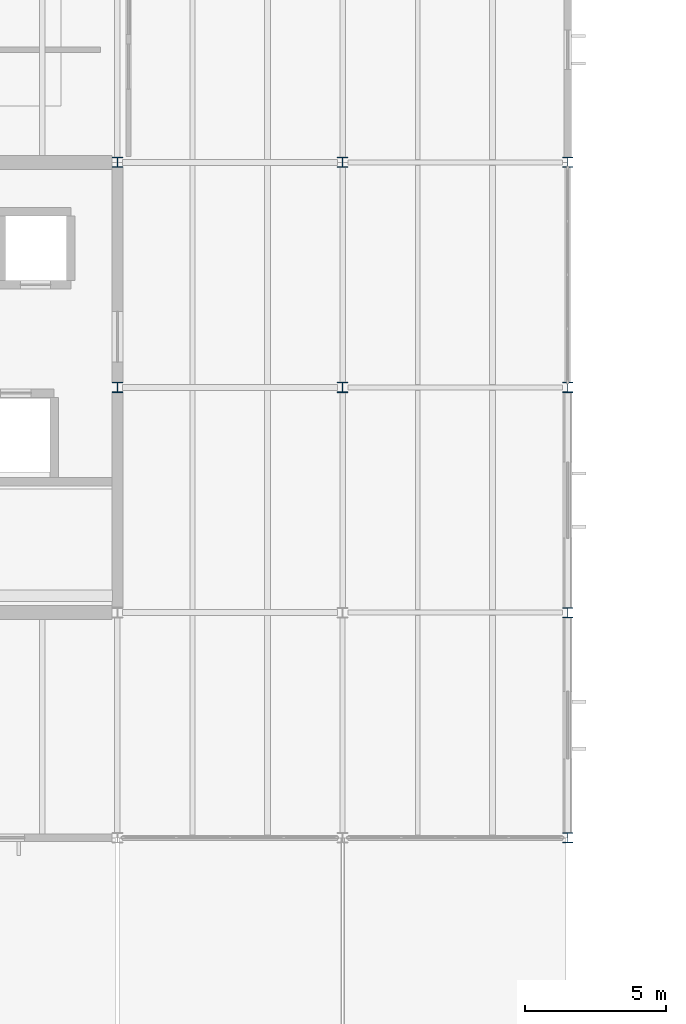
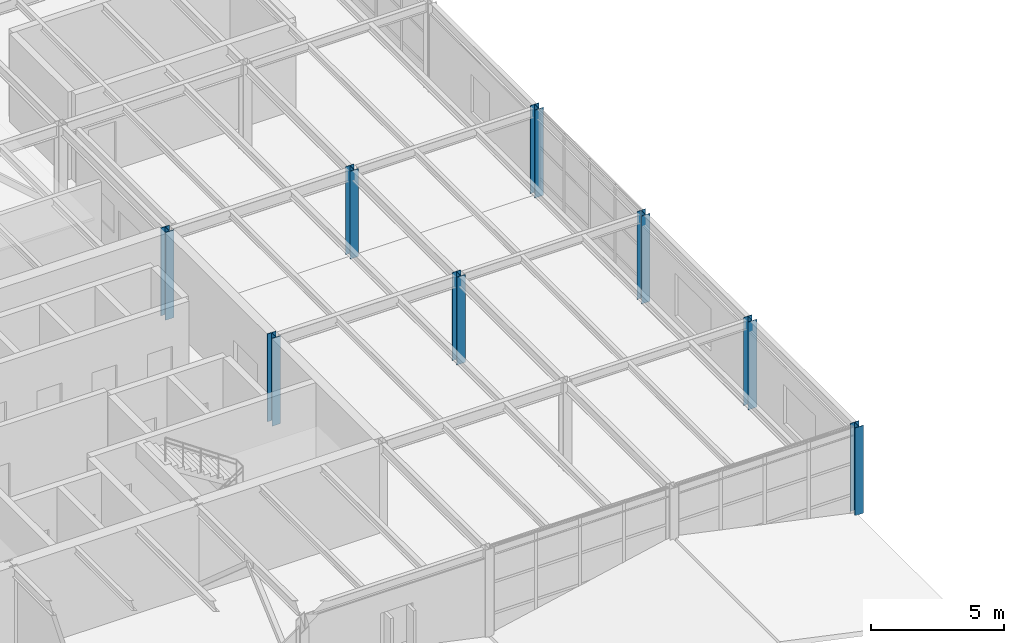
# One storey, part 2 of 34: 8 columns.
"""IFC4 building model written with IfcOpenShell, lengths in metres."""

from ifc_helpers import new_model, si_unit, direction, frame, origin, origin_2d, place, context, subcontext, project, spatial, i_section, extrude, material, material_profile, profile_set, type_object, element, save


model = new_model("IFC4")

# Units and contexts
model_context = context("Model", 3, precision=1e-05, world=origin(), true_north=direction((0.0, 1.0)))
body_context = subcontext(model_context, "Body", "Model", "MODEL_VIEW")
ifc_project = project(units=[si_unit("LENGTHUNIT", "METRE"), si_unit("AREAUNIT", "SQUARE_METRE"), si_unit("VOLUMEUNIT", "CUBIC_METRE"), si_unit("PLANEANGLEUNIT", "RADIAN"), si_unit("MASSUNIT", "GRAM", prefix="KILO")], contexts=[model_context])

# Site, building, storey
site_placement = place(None, origin())
site = spatial("IfcSite", under=ifc_project, at=site_placement, CompositionType="ELEMENT")
building_placement = place(site_placement, origin())
building = spatial("IfcBuilding", under=site, at=building_placement, Name="Varnela Railside Interchange", CompositionType="ELEMENT")
storey_placement = place(building_placement, frame((0.0, 0.0, 19.60009765625)))
storey = spatial("IfcBuildingStorey", under=building, at=storey_placement, Name="L04", CompositionType="ELEMENT", Elevation=19.60009765625)

# Columns
ifc_material = material(Name="Steel AR 350 (350 MPa)", Category="steel")
ifc_material_profile_1 = material_profile(ifc_material, i_section(OverallWidth=0.373046875, OverallDepth=0.367919921875, WebThickness=0.014892578125, FlangeThickness=0.02392578125, at=origin_2d()), Name="W360x179")
ifc_profile_set_1 = profile_set([ifc_material_profile_1], Name="Steel AR 350 (350 MPa)")
column_type_1 = type_object("IfcColumnType", Name="Superstructure Steel Col C-18", PredefinedType="COLUMN", material=ifc_profile_set_1)
for number, where, z_axis, x_axis, name in (
    (1, (36.0, 62.0, 0.0), (0.0, 0.0, 1.0), (1.0, 0.0, 0.0), "Column C-18 (L04) (CL-0955)"),
    (2, (36.0, 70.0, 0.0), (0.0, 0.0, 1.0), (1.0, 0.0, 0.0), "Column C-18 (L04) (CL-0956)"),
):
    element("IfcColumn", number, at=place(storey_placement, frame(where, z_axis=z_axis, x_axis=x_axis)), inside=storey, type_object=column_type_1, Name=name, PredefinedType="COLUMN", context=body_context, shape_type="SweptSolid", body=[
        extrude(i_section(OverallWidth=0.373046875, OverallDepth=0.367919921875, WebThickness=0.014892578125, FlangeThickness=0.02392578125, at=origin_2d()), origin(), (0.0, 0.0, 1.0), 4.02001953125),
    ])
ifc_material_profile_2 = material_profile(ifc_material, i_section(OverallWidth=0.3701171875, OverallDepth=0.360107421875, WebThickness=0.01220703125, FlangeThickness=0.019775390625, at=origin_2d()), Name="W360x147")
ifc_profile_set_2 = profile_set([ifc_material_profile_2], Name="Steel AR 350 (350 MPa)")
column_type_2 = type_object("IfcColumnType", Name="Superstructure Steel Col C-19", PredefinedType="COLUMN", material=ifc_profile_set_2)
for number, where, z_axis, x_axis, name in (
    (3, (44.0, 62.0, 0.0), (0.0, 0.0, 1.0), (1.0, 0.0, 0.0), "Column C-19 (L04) (CL-0962)"),
    (4, (44.0, 70.0, 0.0), (0.0, 0.0, 1.0), (1.0, 0.0, 0.0), "Column C-19 (L04) (CL-0963)"),
    (5, (52.0, 46.0, 0.0), (0.0, 0.0, 1.0), (1.0, 0.0, 0.0), "Column C-19 (L04) (CL-0967)"),
    (6, (52.0, 54.0, 0.0), (0.0, 0.0, 1.0), (1.0, 0.0, 0.0), "Column C-19 (L04) (CL-0968)"),
    (7, (52.0, 62.0, 0.0), (0.0, 0.0, 1.0), (1.0, 0.0, 0.0), "Column C-19 (L04) (CL-0969)"),
    (8, (52.0, 70.0, 0.0), (0.0, 0.0, 1.0), (1.0, 0.0, 0.0), "Column C-19 (L04) (CL-0970)"),
):
    element("IfcColumn", number, at=place(storey_placement, frame(where, z_axis=z_axis, x_axis=x_axis)), inside=storey, type_object=column_type_2, Name=name, PredefinedType="COLUMN", context=body_context, shape_type="SweptSolid", body=[
        extrude(i_section(OverallWidth=0.3701171875, OverallDepth=0.360107421875, WebThickness=0.01220703125, FlangeThickness=0.019775390625, at=origin_2d()), origin(), (0.0, 0.0, 1.0), 4.02001953125),
    ])

save(model, "model.ifc")
